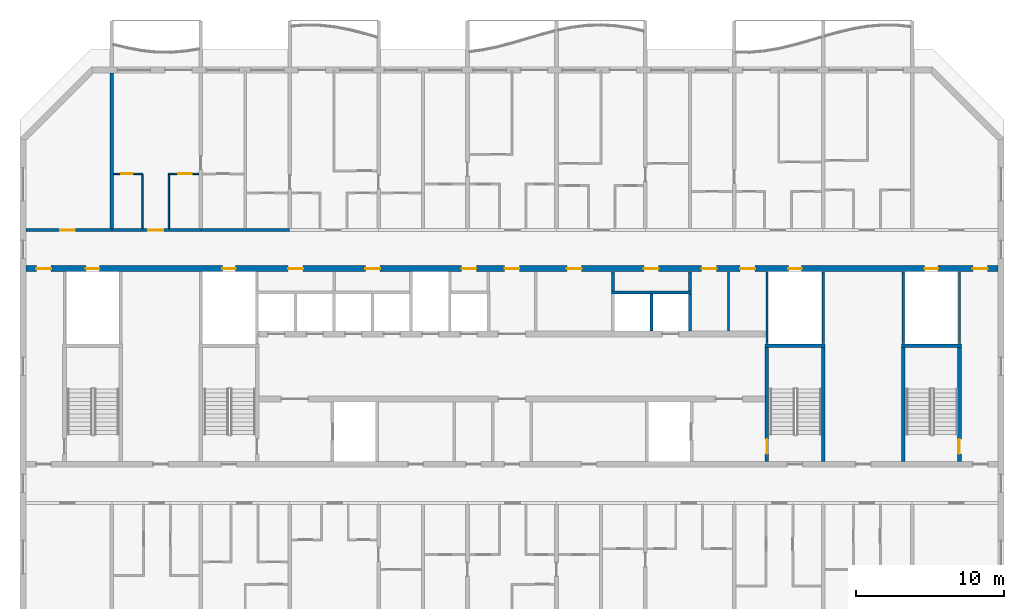
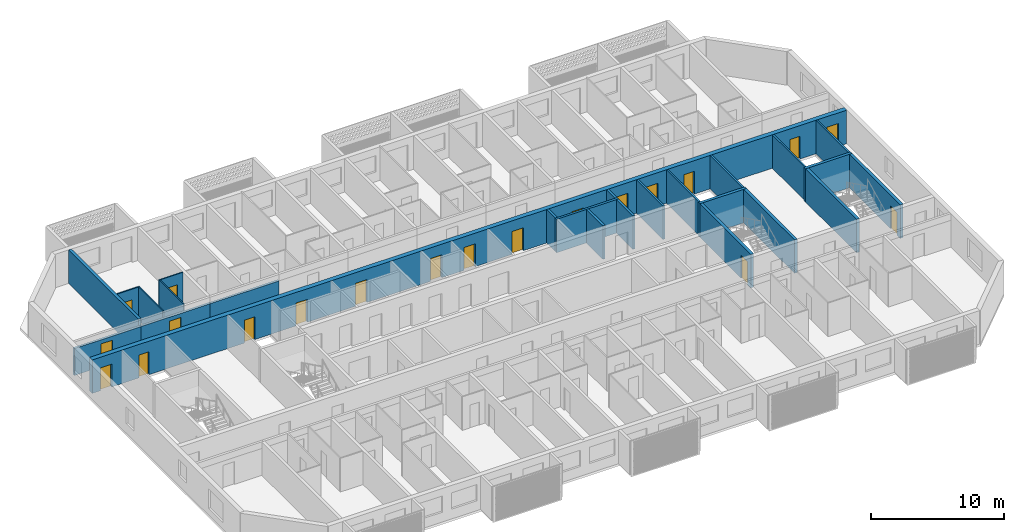
# One storey, part 7 of 26: 25 walls, 20 doors, 20 openings.
"""IFC4 building model written with IfcOpenShell, lengths in metres."""

from ifc_helpers import new_model, si_unit, direction, frame, frame_2d, origin, place, context, subcontext, project, spatial, rectangle, extrude, material, layer, layer_set, type_object, element, fill, save


model = new_model("IFC4")

# Units and contexts
model_context = context("Model", 3, precision=1e-05, world=origin(), true_north=direction((0.0, 1.0)))
body_context = subcontext(model_context, "Body", "Model", "MODEL_VIEW")
ifc_project = project(units=[si_unit("LENGTHUNIT", "METRE"), si_unit("AREAUNIT", "SQUARE_METRE"), si_unit("VOLUMEUNIT", "CUBIC_METRE"), si_unit("PLANEANGLEUNIT", "RADIAN"), si_unit("MASSUNIT", "GRAM", prefix="KILO")], contexts=[model_context])

# Site, building, storey
site_placement = place(None, origin())
site = spatial("IfcSite", under=ifc_project, at=site_placement, CompositionType="ELEMENT")
building_placement = place(site_placement, origin())
building = spatial("IfcBuilding", under=site, at=building_placement, Name="Poui Terraces", CompositionType="ELEMENT")
storey_placement = place(building_placement, frame((0.0, 0.0, 171.89990234375)))
storey = spatial("IfcBuildingStorey", under=building, at=storey_placement, Name="L47", CompositionType="ELEMENT", Elevation=171.89990234375)

# Wall, opening, door
ifc_material_1 = material(Name="Concrete 50 MPa", Category="concrete")
ifc_layer_1 = layer(ifc_material_1, 0.199951171875)
ifc_layer_set_1 = layer_set([ifc_layer_1], Name="Concrete 50 MPa")
wall_type_1 = type_object("IfcWallType", Name="CORRIDOR WALL 200 50MPa", PredefinedType="SHEAR", material=ifc_layer_set_1)
wall_1_placement = place(storey_placement, frame((18.199951171875, 30.39990234375, 0.0), z_axis=(0.0, 0.0, 1.0), x_axis=(1.0, 0.0, 0.0)))
wall_1 = element("IfcWall", 1, at=wall_1_placement, inside=storey, type_object=wall_type_1, Name="CORRIDOR WALL LINE E BAY 1", PredefinedType="SHEAR", context=body_context, shape_type="SweptSolid", body=[
    extrude(rectangle(XDim=5.800048828125, YDim=0.199951171875, at=frame_2d((2.89990234375, 0.0))), origin(), (0.0, 0.0, 1.0), 2.47998046875),
])
opening_1_placement = place(wall_1_placement, frame((2.300048828125, 0.0, 0.0)))
opening_1 = element("IfcOpeningElement", 2, at=opening_1_placement, cuts=wall_1, Name="Opening D100", PredefinedType="OPENING", context=body_context, shape_type="SweptSolid", body=[
    extrude(rectangle(XDim=1.0, YDim=2.10009765625, at=frame_2d((0.5, 1.050048828125))), frame((0.0, 0.10986328125, 0.0), z_axis=(0.0, -1.0, 0.0), x_axis=(1.0, 0.0, 0.0)), (0.0, 0.0, 1.0), 0.219970703125),
])
ifc_material_2 = material(Name="Solid core timber door", Category="wood")
door_type_1 = type_object("IfcDoorType", Name="ACCESSIBLE INTERNAL DOOR 1000 X 2100", OperationType="NOTDEFINED", PredefinedType="DOOR", material=ifc_material_2)
door_1_placement = place(opening_1_placement, origin())
door_1 = element("IfcDoor", 3, at=door_1_placement, inside=storey, type_object=door_type_1, Name="ACCESSIBLE INTERNAL DOOR 025", OperationType="SINGLE_SWING_LEFT", OverallHeight=2.10009765625, OverallWidth=1.0, PredefinedType="DOOR", context=body_context, shape_type="SweptSolid", body=[
    extrude(rectangle(XDim=1.0, YDim=2.10009765625, at=frame_2d((0.5, 1.050048828125))), frame((0.0, 0.02490234375, 0.0), z_axis=(0.0, -1.0, 0.0), x_axis=(1.0, 0.0, 0.0)), (0.0, 0.0, 1.0), 0.050048828125),
])
fill(opening_1, door_1)

wall_2_placement = place(storey_placement, frame((24.0, 30.39990234375, 0.0), z_axis=(0.0, 0.0, 1.0), x_axis=(1.0, 0.0, 0.0)))
wall_2 = element("IfcWall", 4, at=wall_2_placement, inside=storey, type_object=wall_type_1, Name="CORRIDOR WALL LINE E BAY 2", PredefinedType="SHEAR", context=body_context, shape_type="SweptSolid", body=[
    extrude(rectangle(XDim=6.0, YDim=0.199951171875, at=frame_2d((3.0, 0.0))), origin(), (0.0, 0.0, 1.0), 2.47998046875),
])
opening_2_placement = place(wall_2_placement, frame((2.449951171875, 0.0, 0.0)))
opening_2 = element("IfcOpeningElement", 5, at=opening_2_placement, cuts=wall_2, Name="Opening FD30S", PredefinedType="OPENING", context=body_context, shape_type="SweptSolid", body=[
    extrude(rectangle(XDim=1.0, YDim=2.10009765625, at=frame_2d((0.5, 1.050048828125))), frame((0.0, 0.10986328125, 0.0), z_axis=(0.0, -1.0, 0.0), x_axis=(1.0, 0.0, 0.0)), (0.0, 0.0, 1.0), 0.219970703125),
])
ifc_material_3 = material(Name="Steel fire door", Category="steel")
door_type_2 = type_object("IfcDoorType", Name="FLAT ENTRANCE DOOR 1000 X 2100", OperationType="NOTDEFINED", PredefinedType="DOOR", material=ifc_material_3)
door_2_placement = place(opening_2_placement, origin())
door_2 = element("IfcDoor", 6, at=door_2_placement, inside=storey, type_object=door_type_2, Name="FLAT ENTRANCE DOOR 028", OperationType="SINGLE_SWING_LEFT", OverallHeight=2.10009765625, OverallWidth=1.0, PredefinedType="DOOR", context=body_context, shape_type="SweptSolid", body=[
    extrude(rectangle(XDim=1.0, YDim=2.10009765625, at=frame_2d((0.5, 1.050048828125))), frame((0.0, 0.02490234375, 0.0), z_axis=(0.0, -1.0, 0.0), x_axis=(1.0, 0.0, 0.0)), (0.0, 0.0, 1.0), 0.050048828125),
])
fill(opening_2, door_2)

# Walls
wall_3_placement = place(storey_placement, frame((30.0, 30.39990234375, 0.0), z_axis=(0.0, 0.0, 1.0), x_axis=(1.0, 0.0, 0.0)))
element("IfcWall", 7, at=wall_3_placement, inside=storey, type_object=wall_type_1, Name="CORRIDOR WALL LINE E BAY 3", PredefinedType="SHEAR", context=body_context, shape_type="SweptSolid", body=[
    extrude(rectangle(XDim=6.0, YDim=0.199951171875, at=frame_2d((3.0, 0.0))), origin(), (0.0, 0.0, 1.0), 2.47998046875),
])
ifc_layer_2 = layer(ifc_material_1, 0.25)
ifc_layer_set_2 = layer_set([ifc_layer_2], Name="Concrete 50 MPa")
wall_type_2 = type_object("IfcWallType", Name="CROSS WALL 250 50MPa", PredefinedType="SHEAR", material=ifc_layer_set_2)
wall_4_placement = place(storey_placement, frame((24.0, 30.5, 0.0), z_axis=(0.0, 0.0, 1.0), x_axis=(0.0, 1.0, 0.0)))
element("IfcWall", 8, at=wall_4_placement, inside=storey, type_object=wall_type_2, Name="CROSS WALL LINE 5 NORTH", PredefinedType="SHEAR", context=body_context, shape_type="SweptSolid", body=[
    extrude(rectangle(XDim=10.5, YDim=0.25, at=frame_2d((5.25, 0.0))), origin(), (0.0, 0.0, 1.0), 3.080078125),
])

# Wall, opening, door
ifc_material_4 = material(Name="Plasterboard partition")
ifc_layer_3 = layer(ifc_material_4, 0.10009765625)
ifc_layer_set_3 = layer_set([ifc_layer_3], Name="Plasterboard partition")
wall_type_3 = type_object("IfcWallType", Name="FLAT PARTITION 100", PredefinedType="PARTITIONING", material=ifc_layer_set_3)
wall_5_placement = place(storey_placement, frame((24.135009765625, 34.199951171875, 0.0), z_axis=(0.0, 0.0, 1.0), x_axis=(1.0, 0.0, 0.0)))
wall_5 = element("IfcWall", 9, at=wall_5_placement, inside=storey, type_object=wall_type_3, Name="FLAT PARTITION 100", PredefinedType="PARTITIONING", context=body_context, shape_type="SweptSolid", body=[
    extrude(rectangle(XDim=1.965087890625, YDim=0.10009765625, at=frame_2d((0.982421875, 0.0))), origin(), (0.0, 0.0, 1.0), 3.080078125),
])
opening_3_placement = place(wall_5_placement, frame((0.489990234375, 0.0, 0.0)))
opening_3 = element("IfcOpeningElement", 10, at=opening_3_placement, cuts=wall_5, Name="Opening D80", PredefinedType="OPENING", context=body_context, shape_type="SweptSolid", body=[
    extrude(rectangle(XDim=0.800048828125, YDim=2.10009765625, at=frame_2d((0.39990234375, 1.050048828125))), frame((0.0, 0.06005859375, 0.0), z_axis=(0.0, -1.0, 0.0), x_axis=(1.0, 0.0, 0.0)), (0.0, 0.0, 1.0), 0.1201171875),
])
door_type_3 = type_object("IfcDoorType", Name="BATHROOM, LAUNDRY AND STORE DOOR 800 X 2100", OperationType="NOTDEFINED", PredefinedType="DOOR", material=ifc_material_2)
door_3_placement = place(opening_3_placement, frame((0.800048828125, 0.0, 0.0), z_axis=(0.0, 0.0, 1.0), x_axis=(-1.0, 0.0, 0.0)))
door_3 = element("IfcDoor", 11, at=door_3_placement, inside=storey, type_object=door_type_3, Name="BATHROOM, LAUNDRY AND STORE DOOR 027", OperationType="SINGLE_SWING_RIGHT", OverallHeight=2.10009765625, OverallWidth=0.800048828125, PredefinedType="DOOR", context=body_context, shape_type="SweptSolid", body=[
    extrude(rectangle(XDim=0.800048828125, YDim=2.10009765625, at=frame_2d((0.39990234375, 1.050048828125))), frame((0.0, 0.02490234375, 0.0), z_axis=(0.0, -1.0, 0.0), x_axis=(1.0, 0.0, 0.0)), (0.0, 0.0, 1.0), 0.050048828125),
])
fill(opening_3, door_3)

wall_6_placement = place(storey_placement, frame((27.800048828125, 34.199951171875, 0.0), z_axis=(0.0, 0.0, 1.0), x_axis=(1.0, 0.0, 0.0)))
wall_6 = element("IfcWall", 12, at=wall_6_placement, inside=storey, type_object=wall_type_3, Name="FLAT PARTITION 100", PredefinedType="PARTITIONING", context=body_context, shape_type="SweptSolid", body=[
    extrude(rectangle(XDim=2.06494140625, YDim=0.10009765625, at=frame_2d((1.032470703125, 0.0))), origin(), (0.0, 0.0, 1.0), 3.080078125),
])
opening_4_placement = place(wall_6_placement, frame((0.675048828125, 0.0, 0.0)))
opening_4 = element("IfcOpeningElement", 13, at=opening_4_placement, cuts=wall_6, Name="Opening D90", PredefinedType="OPENING", context=body_context, shape_type="SweptSolid", body=[
    extrude(rectangle(XDim=0.89990234375, YDim=2.10009765625, at=frame_2d((0.449951171875, 1.050048828125))), frame((0.0, 0.06005859375, 0.0), z_axis=(0.0, -1.0, 0.0), x_axis=(1.0, 0.0, 0.0)), (0.0, 0.0, 1.0), 0.1201171875),
])
door_type_4 = type_object("IfcDoorType", Name="INTERNAL DOOR 900 X 2100", OperationType="NOTDEFINED", PredefinedType="DOOR", material=ifc_material_2)
door_4_placement = place(opening_4_placement, frame((0.89990234375, 0.0, 0.0), z_axis=(0.0, 0.0, 1.0), x_axis=(-1.0, 0.0, 0.0)))
door_4 = element("IfcDoor", 14, at=door_4_placement, inside=storey, type_object=door_type_4, Name="INTERNAL DOOR 029", OperationType="SINGLE_SWING_LEFT", OverallHeight=2.10009765625, OverallWidth=0.89990234375, PredefinedType="DOOR", context=body_context, shape_type="SweptSolid", body=[
    extrude(rectangle(XDim=0.89990234375, YDim=2.10009765625, at=frame_2d((0.449951171875, 1.050048828125))), frame((0.0, 0.02490234375, 0.0), z_axis=(0.0, -1.0, 0.0), x_axis=(1.0, 0.0, 0.0)), (0.0, 0.0, 1.0), 0.050048828125),
])
fill(opening_4, door_4)

# Walls
for number, where, z_axis, x_axis, name in (
    (15, (26.050048828125, 30.510009765625, 0.0), (0.0, 0.0, 1.0), (0.0, 1.0, 0.0), "FLAT PARTITION 100"),
    (16, (27.85009765625, 30.510009765625, 0.0), (0.0, 0.0, 1.0), (0.0, 1.0, 0.0), "FLAT PARTITION 100"),
):
    element("IfcWall", number, at=place(storey_placement, frame(where, z_axis=z_axis, x_axis=x_axis)), inside=storey, type_object=wall_type_3, Name=name, PredefinedType="PARTITIONING", context=body_context, shape_type="SweptSolid", body=[
        extrude(rectangle(XDim=3.639892578125, YDim=0.10009765625, at=frame_2d((1.81982421875, 0.0))), origin(), (0.0, 0.0, 1.0), 3.080078125),
    ])
ifc_layer_4 = layer(ifc_material_4, 0.14990234375)
ifc_layer_set_4 = layer_set([ifc_layer_4], Name="Plasterboard partition")
wall_type_4 = type_object("IfcWallType", Name="PARTITION WALL 150", PredefinedType="PARTITIONING", material=ifc_layer_set_4)
wall_7_placement = place(storey_placement, frame((65.60009765625, 23.610107421875, 0.0), z_axis=(0.0, 0.0, 1.0), x_axis=(0.0, 1.0, 0.0)))
element("IfcWall", 17, at=wall_7_placement, inside=storey, type_object=wall_type_4, Name="PARTITION WALL 150", PredefinedType="PARTITIONING", context=body_context, shape_type="SweptSolid", body=[
    extrude(rectangle(XDim=3.97998046875, YDim=0.14990234375, at=frame_2d((1.989990234375, 0.0))), origin(), (0.0, 0.0, 1.0), 3.080078125),
])
ifc_material_5 = material(Name="Fire-rated masonry wall", Category="masonry")
ifc_layer_5 = layer(ifc_material_5, 0.199951171875)
ifc_layer_set_5 = layer_set([ifc_layer_5], Name="Fire-rated masonry wall")
wall_type_5 = type_object("IfcWallType", Name="PLANT ROOM WALL 200", PredefinedType="PARTITIONING", material=ifc_layer_set_5)
for number, where, z_axis, x_axis, name in (
    (18, (57.800048828125, 26.300048828125, 0.0), (0.0, 0.0, 1.0), (0.0, 1.0, 0.0), "PLANT ROOM WALL 200"),
    (19, (63.0, 26.300048828125, 0.0), (0.0, 0.0, 1.0), (0.0, 1.0, 0.0), "PLANT ROOM WALL 200"),
):
    element("IfcWall", number, at=place(storey_placement, frame(where, z_axis=z_axis, x_axis=x_axis)), inside=storey, type_object=wall_type_5, Name=name, PredefinedType="PARTITIONING", context=body_context, shape_type="SweptSolid", body=[
        extrude(rectangle(XDim=1.2900390625, YDim=0.199951171875, at=frame_2d((0.64501953125, 0.0))), origin(), (0.0, 0.0, 1.0), 3.080078125),
    ])
ifc_material_6 = material(Name="Fire-rated plasterboard riser wall")
ifc_layer_6 = layer(ifc_material_6, 0.14990234375)
ifc_layer_set_6 = layer_set([ifc_layer_6], Name="Fire-rated plasterboard riser wall")
wall_type_6 = type_object("IfcWallType", Name="RISER WALL 150", PredefinedType="PARTITIONING", material=ifc_layer_set_6)
for number, where, z_axis, x_axis, name in (
    (20, (68.199951171875, 22.735107421875, 0.0), (0.0, 0.0, 1.0), (0.0, 1.0, 0.0), "RISER WALL 150"),
    (21, (72.0, 22.735107421875, 0.0), (0.0, 0.0, 1.0), (0.0, 1.0, 0.0), "RISER WALL 150"),
    (22, (77.39990234375, 22.735107421875, 0.0), (0.0, 0.0, 1.0), (0.0, 1.0, 0.0), "RISER WALL 150"),
    (23, (81.199951171875, 22.735107421875, 0.0), (0.0, 0.0, 1.0), (0.0, 1.0, 0.0), "RISER WALL 150"),
):
    element("IfcWall", number, at=place(storey_placement, frame(where, z_axis=z_axis, x_axis=x_axis)), inside=storey, type_object=wall_type_6, Name=name, PredefinedType="PARTITIONING", context=body_context, shape_type="SweptSolid", body=[
        extrude(rectangle(XDim=4.85498046875, YDim=0.14990234375, at=frame_2d((2.427490234375, 0.0))), origin(), (0.0, 0.0, 1.0), 3.080078125),
    ])
ifc_material_7 = material(Name="Fire-rated masonry shaft wall", Category="masonry")
ifc_layer_7 = layer(ifc_material_7, 0.199951171875)
ifc_layer_set_7 = layer_set([ifc_layer_7], Name="Fire-rated masonry shaft wall")
wall_type_7 = type_object("IfcWallType", Name="SHAFT WALL 200", PredefinedType="PARTITIONING", material=ifc_layer_set_7)
wall_8_placement = place(storey_placement, frame((57.699951171875, 26.199951171875, 0.0), z_axis=(0.0, 0.0, 1.0), x_axis=(1.0, 0.0, 0.0)))
element("IfcWall", 24, at=wall_8_placement, inside=storey, type_object=wall_type_7, Name="SHAFT WALL 200", PredefinedType="PARTITIONING", context=body_context, shape_type="SweptSolid", body=[
    extrude(rectangle(XDim=5.400146484375, YDim=0.199951171875, at=frame_2d((2.7001953125, 0.0))), origin(), (0.0, 0.0, 1.0), 3.080078125),
])
for number, where, z_axis, x_axis, name in (
    (25, (60.39990234375, 23.610107421875, 0.0), (0.0, 0.0, 1.0), (0.0, 1.0, 0.0), "SHAFT WALL 200"),
    (26, (63.0, 23.610107421875, 0.0), (0.0, 0.0, 1.0), (0.0, 1.0, 0.0), "SHAFT WALL 200"),
):
    element("IfcWall", number, at=place(storey_placement, frame(where, z_axis=z_axis, x_axis=x_axis)), inside=storey, type_object=wall_type_7, Name=name, PredefinedType="PARTITIONING", context=body_context, shape_type="SweptSolid", body=[
        extrude(rectangle(XDim=2.489990234375, YDim=0.199951171875, at=frame_2d((1.2451171875, 0.0))), origin(), (0.0, 0.0, 1.0), 3.080078125),
    ])

# Wall, openings, doors
ifc_layer_8 = layer(ifc_material_1, 0.39990234375)
ifc_layer_set_8 = layer_set([ifc_layer_8], Name="Concrete 50 MPa")
wall_type_8 = type_object("IfcWallType", Name="SPINE WALL 400 50 MPA", PredefinedType="SOLIDWALL", material=ifc_layer_set_8)
wall_9_placement = place(storey_placement, frame((18.199951171875, 27.800048828125, 0.0), z_axis=(0.0, 0.0, 1.0), x_axis=(1.0, 0.0, 0.0)))
wall_9 = element("IfcWall", 27, at=wall_9_placement, inside=storey, type_object=wall_type_8, Name="SPINE WALL", PredefinedType="SOLIDWALL", context=body_context, shape_type="SweptSolid", body=[
    extrude(rectangle(XDim=65.60009765625, YDim=0.39990234375, at=frame_2d((32.800048828125, 0.0))), origin(), (0.0, 0.0, 1.0), 3.080078125),
])
opening_5_placement = place(wall_9_placement, frame((0.699951171875, 0.0, 0.0)))
opening_5 = element("IfcOpeningElement", 28, at=opening_5_placement, cuts=wall_9, Name="Opening FDL", PredefinedType="OPENING", context=body_context, shape_type="SweptSolid", body=[
    extrude(rectangle(XDim=1.0, YDim=2.10009765625, at=frame_2d((0.5, 1.050048828125))), frame((0.0, 0.2099609375, 0.0), z_axis=(0.0, -1.0, 0.0), x_axis=(1.0, 0.0, 0.0)), (0.0, 0.0, 1.0), 0.419921875),
])
opening_6_placement = place(wall_9_placement, frame((4.050048828125, 0.0, 0.0)))
opening_6 = element("IfcOpeningElement", 29, at=opening_6_placement, cuts=wall_9, Name="Opening FDR", PredefinedType="OPENING", context=body_context, shape_type="SweptSolid", body=[
    extrude(rectangle(XDim=0.89990234375, YDim=2.10009765625, at=frame_2d((0.449951171875, 1.050048828125))), frame((0.0, 0.2099609375, 0.0), z_axis=(0.0, -1.0, 0.0), x_axis=(1.0, 0.0, 0.0)), (0.0, 0.0, 1.0), 0.419921875),
])
opening_7_placement = place(wall_9_placement, frame((13.25, 0.0, 0.0)))
opening_7 = element("IfcOpeningElement", 30, at=opening_7_placement, cuts=wall_9, Name="Opening FDR", PredefinedType="OPENING", context=body_context, shape_type="SweptSolid", body=[
    extrude(rectangle(XDim=0.89990234375, YDim=2.10009765625, at=frame_2d((0.449951171875, 1.050048828125))), frame((0.0, 0.2099609375, 0.0), z_axis=(0.0, -1.0, 0.0), x_axis=(1.0, 0.0, 0.0)), (0.0, 0.0, 1.0), 0.419921875),
])
opening_8_placement = place(wall_9_placement, frame((17.699951171875, 0.0, 0.0)))
opening_8 = element("IfcOpeningElement", 31, at=opening_8_placement, cuts=wall_9, Name="Opening FD60", PredefinedType="OPENING", context=body_context, shape_type="SweptSolid", body=[
    extrude(rectangle(XDim=1.0, YDim=2.10009765625, at=frame_2d((0.5, 1.050048828125))), frame((0.0, 0.2099609375, 0.0), z_axis=(0.0, -1.0, 0.0), x_axis=(1.0, 0.0, 0.0)), (0.0, 0.0, 1.0), 0.419921875),
])
opening_9_placement = place(wall_9_placement, frame((22.89990234375, 0.0, 0.0)))
opening_9 = element("IfcOpeningElement", 32, at=opening_9_placement, cuts=wall_9, Name="Opening FD60", PredefinedType="OPENING", context=body_context, shape_type="SweptSolid", body=[
    extrude(rectangle(XDim=1.0, YDim=2.10009765625, at=frame_2d((0.5, 1.050048828125))), frame((0.0, 0.2099609375, 0.0), z_axis=(0.0, -1.0, 0.0), x_axis=(1.0, 0.0, 0.0)), (0.0, 0.0, 1.0), 0.419921875),
])
opening_10_placement = place(wall_9_placement, frame((29.39990234375, 0.0, 0.0)))
opening_10 = element("IfcOpeningElement", 33, at=opening_10_placement, cuts=wall_9, Name="Opening FD60", PredefinedType="OPENING", context=body_context, shape_type="SweptSolid", body=[
    extrude(rectangle(XDim=1.0, YDim=2.10009765625, at=frame_2d((0.5, 1.050048828125))), frame((0.0, 0.2099609375, 0.0), z_axis=(0.0, -1.0, 0.0), x_axis=(1.0, 0.0, 0.0)), (0.0, 0.0, 1.0), 0.419921875),
])
opening_11_placement = place(wall_9_placement, frame((32.300048828125, 0.0, 0.0)))
opening_11 = element("IfcOpeningElement", 34, at=opening_11_placement, cuts=wall_9, Name="Opening FDL", PredefinedType="OPENING", context=body_context, shape_type="SweptSolid", body=[
    extrude(rectangle(XDim=1.0, YDim=2.10009765625, at=frame_2d((0.5, 1.050048828125))), frame((0.0, 0.2099609375, 0.0), z_axis=(0.0, -1.0, 0.0), x_axis=(1.0, 0.0, 0.0)), (0.0, 0.0, 1.0), 0.419921875),
])
opening_12_placement = place(wall_9_placement, frame((36.5, 0.0, 0.0)))
opening_12 = element("IfcOpeningElement", 35, at=opening_12_placement, cuts=wall_9, Name="Opening FD60", PredefinedType="OPENING", context=body_context, shape_type="SweptSolid", body=[
    extrude(rectangle(XDim=1.0, YDim=2.10009765625, at=frame_2d((0.5, 1.050048828125))), frame((0.0, 0.2099609375, 0.0), z_axis=(0.0, -1.0, 0.0), x_axis=(1.0, 0.0, 0.0)), (0.0, 0.0, 1.0), 0.419921875),
])
opening_13_placement = place(wall_9_placement, frame((41.699951171875, 0.0, 0.0)))
opening_13 = element("IfcOpeningElement", 36, at=opening_13_placement, cuts=wall_9, Name="Opening FD60", PredefinedType="OPENING", context=body_context, shape_type="SweptSolid", body=[
    extrude(rectangle(XDim=1.0, YDim=2.10009765625, at=frame_2d((0.5, 1.050048828125))), frame((0.0, 0.2099609375, 0.0), z_axis=(0.0, -1.0, 0.0), x_axis=(1.0, 0.0, 0.0)), (0.0, 0.0, 1.0), 0.419921875),
])
opening_14_placement = place(wall_9_placement, frame((45.60009765625, 0.0, 0.0)))
opening_14 = element("IfcOpeningElement", 37, at=opening_14_placement, cuts=wall_9, Name="Opening FD60", PredefinedType="OPENING", context=body_context, shape_type="SweptSolid", body=[
    extrude(rectangle(XDim=1.0, YDim=2.10009765625, at=frame_2d((0.5, 1.050048828125))), frame((0.0, 0.2099609375, 0.0), z_axis=(0.0, -1.0, 0.0), x_axis=(1.0, 0.0, 0.0)), (0.0, 0.0, 1.0), 0.419921875),
])
opening_15_placement = place(wall_9_placement, frame((48.199951171875, 0.0, 0.0)))
opening_15 = element("IfcOpeningElement", 38, at=opening_15_placement, cuts=wall_9, Name="Opening FD60", PredefinedType="OPENING", context=body_context, shape_type="SweptSolid", body=[
    extrude(rectangle(XDim=1.0, YDim=2.10009765625, at=frame_2d((0.5, 1.050048828125))), frame((0.0, 0.2099609375, 0.0), z_axis=(0.0, -1.0, 0.0), x_axis=(1.0, 0.0, 0.0)), (0.0, 0.0, 1.0), 0.419921875),
])
opening_16_placement = place(wall_9_placement, frame((51.449951171875, 0.0, 0.0)))
opening_16 = element("IfcOpeningElement", 39, at=opening_16_placement, cuts=wall_9, Name="Opening FDR", PredefinedType="OPENING", context=body_context, shape_type="SweptSolid", body=[
    extrude(rectangle(XDim=0.89990234375, YDim=2.10009765625, at=frame_2d((0.449951171875, 1.050048828125))), frame((0.0, 0.2099609375, 0.0), z_axis=(0.0, -1.0, 0.0), x_axis=(1.0, 0.0, 0.0)), (0.0, 0.0, 1.0), 0.419921875),
])
opening_17_placement = place(wall_9_placement, frame((60.64990234375, 0.0, 0.0)))
opening_17 = element("IfcOpeningElement", 40, at=opening_17_placement, cuts=wall_9, Name="Opening FDR", PredefinedType="OPENING", context=body_context, shape_type="SweptSolid", body=[
    extrude(rectangle(XDim=0.89990234375, YDim=2.10009765625, at=frame_2d((0.449951171875, 1.050048828125))), frame((0.0, 0.2099609375, 0.0), z_axis=(0.0, -1.0, 0.0), x_axis=(1.0, 0.0, 0.0)), (0.0, 0.0, 1.0), 0.419921875),
])
opening_18_placement = place(wall_9_placement, frame((63.89990234375, 0.0, 0.0)))
opening_18 = element("IfcOpeningElement", 41, at=opening_18_placement, cuts=wall_9, Name="Opening FDL", PredefinedType="OPENING", context=body_context, shape_type="SweptSolid", body=[
    extrude(rectangle(XDim=1.0, YDim=2.10009765625, at=frame_2d((0.5, 1.050048828125))), frame((0.0, 0.2099609375, 0.0), z_axis=(0.0, -1.0, 0.0), x_axis=(1.0, 0.0, 0.0)), (0.0, 0.0, 1.0), 0.419921875),
])
door_type_5 = type_object("IfcDoorType", Name="LOBBY FIRE DOOR 1000 X 2100", OperationType="NOTDEFINED", PredefinedType="DOOR", material=ifc_material_3)
door_5_placement = place(opening_5_placement, origin())
door_5 = element("IfcDoor", 42, at=door_5_placement, inside=storey, type_object=door_type_5, Name="LOBBY FIRE DOOR 001", OperationType="SINGLE_SWING_LEFT", OverallHeight=2.10009765625, OverallWidth=1.0, PredefinedType="DOOR", context=body_context, shape_type="SweptSolid", body=[
    extrude(rectangle(XDim=1.0, YDim=2.10009765625, at=frame_2d((0.5, 1.050048828125))), frame((0.0, 0.02490234375, 0.0), z_axis=(0.0, -1.0, 0.0), x_axis=(1.0, 0.0, 0.0)), (0.0, 0.0, 1.0), 0.050048828125),
])
fill(opening_5, door_5)
door_6_placement = place(opening_11_placement, origin())
door_6 = element("IfcDoor", 43, at=door_6_placement, inside=storey, type_object=door_type_5, Name="LOBBY FIRE DOOR 007", OperationType="SINGLE_SWING_RIGHT", OverallHeight=2.10009765625, OverallWidth=1.0, PredefinedType="DOOR", context=body_context, shape_type="SweptSolid", body=[
    extrude(rectangle(XDim=1.0, YDim=2.10009765625, at=frame_2d((0.5, 1.050048828125))), frame((0.0, 0.02490234375, 0.0), z_axis=(0.0, -1.0, 0.0), x_axis=(1.0, 0.0, 0.0)), (0.0, 0.0, 1.0), 0.050048828125),
])
fill(opening_11, door_6)
door_7_placement = place(opening_18_placement, origin())
door_7 = element("IfcDoor", 44, at=door_7_placement, inside=storey, type_object=door_type_5, Name="LOBBY FIRE DOOR 014", OperationType="SINGLE_SWING_RIGHT", OverallHeight=2.10009765625, OverallWidth=1.0, PredefinedType="DOOR", context=body_context, shape_type="SweptSolid", body=[
    extrude(rectangle(XDim=1.0, YDim=2.10009765625, at=frame_2d((0.5, 1.050048828125))), frame((0.0, 0.02490234375, 0.0), z_axis=(0.0, -1.0, 0.0), x_axis=(1.0, 0.0, 0.0)), (0.0, 0.0, 1.0), 0.050048828125),
])
fill(opening_18, door_7)
door_type_6 = type_object("IfcDoorType", Name="RISER CUPBOARD DOOR 900 X 2100", OperationType="NOTDEFINED", PredefinedType="DOOR", material=ifc_material_3)
door_8_placement = place(opening_6_placement, origin())
door_8 = element("IfcDoor", 45, at=door_8_placement, inside=storey, type_object=door_type_6, Name="RISER CUPBOARD DOOR 002", OperationType="SINGLE_SWING_LEFT", OverallHeight=2.10009765625, OverallWidth=0.89990234375, PredefinedType="DOOR", context=body_context, shape_type="SweptSolid", body=[
    extrude(rectangle(XDim=0.89990234375, YDim=2.10009765625, at=frame_2d((0.449951171875, 1.050048828125))), frame((0.0, 0.02490234375, 0.0), z_axis=(0.0, -1.0, 0.0), x_axis=(1.0, 0.0, 0.0)), (0.0, 0.0, 1.0), 0.050048828125),
])
fill(opening_6, door_8)
door_9_placement = place(opening_7_placement, origin())
door_9 = element("IfcDoor", 46, at=door_9_placement, inside=storey, type_object=door_type_6, Name="RISER CUPBOARD DOOR 003", OperationType="SINGLE_SWING_LEFT", OverallHeight=2.10009765625, OverallWidth=0.89990234375, PredefinedType="DOOR", context=body_context, shape_type="SweptSolid", body=[
    extrude(rectangle(XDim=0.89990234375, YDim=2.10009765625, at=frame_2d((0.449951171875, 1.050048828125))), frame((0.0, 0.02490234375, 0.0), z_axis=(0.0, -1.0, 0.0), x_axis=(1.0, 0.0, 0.0)), (0.0, 0.0, 1.0), 0.050048828125),
])
fill(opening_7, door_9)
door_10_placement = place(opening_16_placement, origin())
door_10 = element("IfcDoor", 47, at=door_10_placement, inside=storey, type_object=door_type_6, Name="RISER CUPBOARD DOOR 012", OperationType="SINGLE_SWING_RIGHT", OverallHeight=2.10009765625, OverallWidth=0.89990234375, PredefinedType="DOOR", context=body_context, shape_type="SweptSolid", body=[
    extrude(rectangle(XDim=0.89990234375, YDim=2.10009765625, at=frame_2d((0.449951171875, 1.050048828125))), frame((0.0, 0.02490234375, 0.0), z_axis=(0.0, -1.0, 0.0), x_axis=(1.0, 0.0, 0.0)), (0.0, 0.0, 1.0), 0.050048828125),
])
fill(opening_16, door_10)
door_11_placement = place(opening_17_placement, origin())
door_11 = element("IfcDoor", 48, at=door_11_placement, inside=storey, type_object=door_type_6, Name="RISER CUPBOARD DOOR 013", OperationType="SINGLE_SWING_RIGHT", OverallHeight=2.10009765625, OverallWidth=0.89990234375, PredefinedType="DOOR", context=body_context, shape_type="SweptSolid", body=[
    extrude(rectangle(XDim=0.89990234375, YDim=2.10009765625, at=frame_2d((0.449951171875, 1.050048828125))), frame((0.0, 0.02490234375, 0.0), z_axis=(0.0, -1.0, 0.0), x_axis=(1.0, 0.0, 0.0)), (0.0, 0.0, 1.0), 0.050048828125),
])
fill(opening_17, door_11)
door_type_7 = type_object("IfcDoorType", Name="SERVICE ROOM FIRE DOOR 1000 X 2100", OperationType="NOTDEFINED", PredefinedType="DOOR", material=ifc_material_3)
door_12_placement = place(opening_8_placement, origin())
door_12 = element("IfcDoor", 49, at=door_12_placement, inside=storey, type_object=door_type_7, Name="SERVICE ROOM FIRE DOOR 004", OperationType="SINGLE_SWING_RIGHT", OverallHeight=2.10009765625, OverallWidth=1.0, PredefinedType="DOOR", context=body_context, shape_type="SweptSolid", body=[
    extrude(rectangle(XDim=1.0, YDim=2.10009765625, at=frame_2d((0.5, 1.050048828125))), frame((0.0, 0.02490234375, 0.0), z_axis=(0.0, -1.0, 0.0), x_axis=(1.0, 0.0, 0.0)), (0.0, 0.0, 1.0), 0.050048828125),
])
fill(opening_8, door_12)
door_13_placement = place(opening_9_placement, origin())
door_13 = element("IfcDoor", 50, at=door_13_placement, inside=storey, type_object=door_type_7, Name="SERVICE ROOM FIRE DOOR 005", OperationType="SINGLE_SWING_LEFT", OverallHeight=2.10009765625, OverallWidth=1.0, PredefinedType="DOOR", context=body_context, shape_type="SweptSolid", body=[
    extrude(rectangle(XDim=1.0, YDim=2.10009765625, at=frame_2d((0.5, 1.050048828125))), frame((0.0, 0.02490234375, 0.0), z_axis=(0.0, -1.0, 0.0), x_axis=(1.0, 0.0, 0.0)), (0.0, 0.0, 1.0), 0.050048828125),
])
fill(opening_9, door_13)
door_14_placement = place(opening_10_placement, origin())
door_14 = element("IfcDoor", 51, at=door_14_placement, inside=storey, type_object=door_type_7, Name="SERVICE ROOM FIRE DOOR 006", OperationType="SINGLE_SWING_RIGHT", OverallHeight=2.10009765625, OverallWidth=1.0, PredefinedType="DOOR", context=body_context, shape_type="SweptSolid", body=[
    extrude(rectangle(XDim=1.0, YDim=2.10009765625, at=frame_2d((0.5, 1.050048828125))), frame((0.0, 0.02490234375, 0.0), z_axis=(0.0, -1.0, 0.0), x_axis=(1.0, 0.0, 0.0)), (0.0, 0.0, 1.0), 0.050048828125),
])
fill(opening_10, door_14)
door_15_placement = place(opening_12_placement, origin())
door_15 = element("IfcDoor", 52, at=door_15_placement, inside=storey, type_object=door_type_7, Name="SERVICE ROOM FIRE DOOR 008", OperationType="SINGLE_SWING_LEFT", OverallHeight=2.10009765625, OverallWidth=1.0, PredefinedType="DOOR", context=body_context, shape_type="SweptSolid", body=[
    extrude(rectangle(XDim=1.0, YDim=2.10009765625, at=frame_2d((0.5, 1.050048828125))), frame((0.0, 0.02490234375, 0.0), z_axis=(0.0, -1.0, 0.0), x_axis=(1.0, 0.0, 0.0)), (0.0, 0.0, 1.0), 0.050048828125),
])
fill(opening_12, door_15)
door_16_placement = place(opening_13_placement, origin())
door_16 = element("IfcDoor", 53, at=door_16_placement, inside=storey, type_object=door_type_7, Name="SERVICE ROOM FIRE DOOR 009", OperationType="SINGLE_SWING_RIGHT", OverallHeight=2.10009765625, OverallWidth=1.0, PredefinedType="DOOR", context=body_context, shape_type="SweptSolid", body=[
    extrude(rectangle(XDim=1.0, YDim=2.10009765625, at=frame_2d((0.5, 1.050048828125))), frame((0.0, 0.02490234375, 0.0), z_axis=(0.0, -1.0, 0.0), x_axis=(1.0, 0.0, 0.0)), (0.0, 0.0, 1.0), 0.050048828125),
])
fill(opening_13, door_16)
door_17_placement = place(opening_14_placement, origin())
door_17 = element("IfcDoor", 54, at=door_17_placement, inside=storey, type_object=door_type_7, Name="SERVICE ROOM FIRE DOOR 010", OperationType="SINGLE_SWING_LEFT", OverallHeight=2.10009765625, OverallWidth=1.0, PredefinedType="DOOR", context=body_context, shape_type="SweptSolid", body=[
    extrude(rectangle(XDim=1.0, YDim=2.10009765625, at=frame_2d((0.5, 1.050048828125))), frame((0.0, 0.02490234375, 0.0), z_axis=(0.0, -1.0, 0.0), x_axis=(1.0, 0.0, 0.0)), (0.0, 0.0, 1.0), 0.050048828125),
])
fill(opening_14, door_17)
door_18_placement = place(opening_15_placement, origin())
door_18 = element("IfcDoor", 55, at=door_18_placement, inside=storey, type_object=door_type_7, Name="SERVICE ROOM FIRE DOOR 011", OperationType="SINGLE_SWING_RIGHT", OverallHeight=2.10009765625, OverallWidth=1.0, PredefinedType="DOOR", context=body_context, shape_type="SweptSolid", body=[
    extrude(rectangle(XDim=1.0, YDim=2.10009765625, at=frame_2d((0.5, 1.050048828125))), frame((0.0, 0.02490234375, 0.0), z_axis=(0.0, -1.0, 0.0), x_axis=(1.0, 0.0, 0.0)), (0.0, 0.0, 1.0), 0.050048828125),
])
fill(opening_15, door_18)

# Wall, opening, door
ifc_layer_9 = layer(ifc_material_1, 0.25)
ifc_layer_set_9 = layer_set([ifc_layer_9], Name="Concrete 50 MPa")
wall_type_9 = type_object("IfcWallType", Name="STAIR CORE WALL 250 50 MPA", PredefinedType="SOLIDWALL", material=ifc_layer_set_9)
wall_10_placement = place(storey_placement, frame((68.199951171875, 14.800048828125, 0.0), z_axis=(0.0, 0.0, 1.0), x_axis=(0.0, 1.0, 0.0)))
wall_10 = element("IfcWall", 56, at=wall_10_placement, inside=storey, type_object=wall_type_9, Name="STAIR CORE WALL", PredefinedType="SOLIDWALL", context=body_context, shape_type="SweptSolid", body=[
    extrude(rectangle(XDim=7.675048828125, YDim=0.25, at=frame_2d((3.83740234375, 0.0))), origin(), (0.0, 0.0, 1.0), 3.080078125),
])
opening_19_placement = place(wall_10_placement, frame((0.5, 0.0, 0.0)))
opening_19 = element("IfcOpeningElement", 57, at=opening_19_placement, cuts=wall_10, Name="Opening FD60S", PredefinedType="OPENING", context=body_context, shape_type="SweptSolid", body=[
    extrude(rectangle(XDim=1.0, YDim=2.10009765625, at=frame_2d((0.5, 1.050048828125))), frame((0.0, 0.135009765625, 0.0), z_axis=(0.0, -1.0, 0.0), x_axis=(1.0, 0.0, 0.0)), (0.0, 0.0, 1.0), 0.27001953125),
])
door_type_8 = type_object("IfcDoorType", Name="STAIR DOOR 1000 X 2100", OperationType="NOTDEFINED", PredefinedType="DOOR", material=ifc_material_3)
door_19_placement = place(opening_19_placement, frame((1.0, 0.0, 0.0), z_axis=(0.0, 0.0, 1.0), x_axis=(-1.0, 0.0, 0.0)))
door_19 = element("IfcDoor", 58, at=door_19_placement, inside=storey, type_object=door_type_8, Name="STAIR DOOR 096", OperationType="SINGLE_SWING_LEFT", OverallHeight=2.10009765625, OverallWidth=1.0, PredefinedType="DOOR", context=body_context, shape_type="SweptSolid", body=[
    extrude(rectangle(XDim=1.0, YDim=2.10009765625, at=frame_2d((0.5, 1.050048828125))), frame((0.0, 0.02490234375, 0.0), z_axis=(0.0, -1.0, 0.0), x_axis=(1.0, 0.0, 0.0)), (0.0, 0.0, 1.0), 0.050048828125),
])
fill(opening_19, door_19)

# Walls
wall_11_placement = place(storey_placement, frame((72.0, 14.800048828125, 0.0), z_axis=(0.0, 0.0, 1.0), x_axis=(0.0, 1.0, 0.0)))
element("IfcWall", 59, at=wall_11_placement, inside=storey, type_object=wall_type_9, Name="STAIR CORE WALL", PredefinedType="SOLIDWALL", context=body_context, shape_type="SweptSolid", body=[
    extrude(rectangle(XDim=7.675048828125, YDim=0.25, at=frame_2d((3.83740234375, 0.0))), origin(), (0.0, 0.0, 1.0), 3.080078125),
])
wall_12_placement = place(storey_placement, frame((68.074951171875, 22.60009765625, 0.0), z_axis=(0.0, 0.0, 1.0), x_axis=(1.0, 0.0, 0.0)))
element("IfcWall", 60, at=wall_12_placement, inside=storey, type_object=wall_type_9, Name="STAIR CORE WALL", PredefinedType="SOLIDWALL", context=body_context, shape_type="SweptSolid", body=[
    extrude(rectangle(XDim=4.050048828125, YDim=0.25, at=frame_2d((2.02490234375, 0.0))), origin(), (0.0, 0.0, 1.0), 3.080078125),
])
wall_13_placement = place(storey_placement, frame((77.39990234375, 14.800048828125, 0.0), z_axis=(0.0, 0.0, 1.0), x_axis=(0.0, 1.0, 0.0)))
element("IfcWall", 61, at=wall_13_placement, inside=storey, type_object=wall_type_9, Name="STAIR CORE WALL", PredefinedType="SOLIDWALL", context=body_context, shape_type="SweptSolid", body=[
    extrude(rectangle(XDim=7.675048828125, YDim=0.25, at=frame_2d((3.83740234375, 0.0))), origin(), (0.0, 0.0, 1.0), 3.080078125),
])

# Wall, opening, door
wall_14_placement = place(storey_placement, frame((81.199951171875, 14.800048828125, 0.0), z_axis=(0.0, 0.0, 1.0), x_axis=(0.0, 1.0, 0.0)))
wall_14 = element("IfcWall", 62, at=wall_14_placement, inside=storey, type_object=wall_type_9, Name="STAIR CORE WALL", PredefinedType="SOLIDWALL", context=body_context, shape_type="SweptSolid", body=[
    extrude(rectangle(XDim=7.675048828125, YDim=0.25, at=frame_2d((3.83740234375, 0.0))), origin(), (0.0, 0.0, 1.0), 3.080078125),
])
opening_20_placement = place(wall_14_placement, frame((0.5, 0.0, 0.0)))
opening_20 = element("IfcOpeningElement", 63, at=opening_20_placement, cuts=wall_14, Name="Opening FD60S", PredefinedType="OPENING", context=body_context, shape_type="SweptSolid", body=[
    extrude(rectangle(XDim=1.0, YDim=2.10009765625, at=frame_2d((0.5, 1.050048828125))), frame((0.0, 0.135009765625, 0.0), z_axis=(0.0, -1.0, 0.0), x_axis=(1.0, 0.0, 0.0)), (0.0, 0.0, 1.0), 0.27001953125),
])
door_20_placement = place(opening_20_placement, origin())
door_20 = element("IfcDoor", 64, at=door_20_placement, inside=storey, type_object=door_type_8, Name="STAIR DOOR 110", OperationType="SINGLE_SWING_LEFT", OverallHeight=2.10009765625, OverallWidth=1.0, PredefinedType="DOOR", context=body_context, shape_type="SweptSolid", body=[
    extrude(rectangle(XDim=1.0, YDim=2.10009765625, at=frame_2d((0.5, 1.050048828125))), frame((0.0, 0.02490234375, 0.0), z_axis=(0.0, -1.0, 0.0), x_axis=(1.0, 0.0, 0.0)), (0.0, 0.0, 1.0), 0.050048828125),
])
fill(opening_20, door_20)

# Wall
wall_15_placement = place(storey_placement, frame((77.27490234375, 22.60009765625, 0.0), z_axis=(0.0, 0.0, 1.0), x_axis=(1.0, 0.0, 0.0)))
element("IfcWall", 65, at=wall_15_placement, inside=storey, type_object=wall_type_9, Name="STAIR CORE WALL", PredefinedType="SOLIDWALL", context=body_context, shape_type="SweptSolid", body=[
    extrude(rectangle(XDim=4.050048828125, YDim=0.25, at=frame_2d((2.02490234375, 0.0))), origin(), (0.0, 0.0, 1.0), 3.080078125),
])

save(model, "model.ifc")
